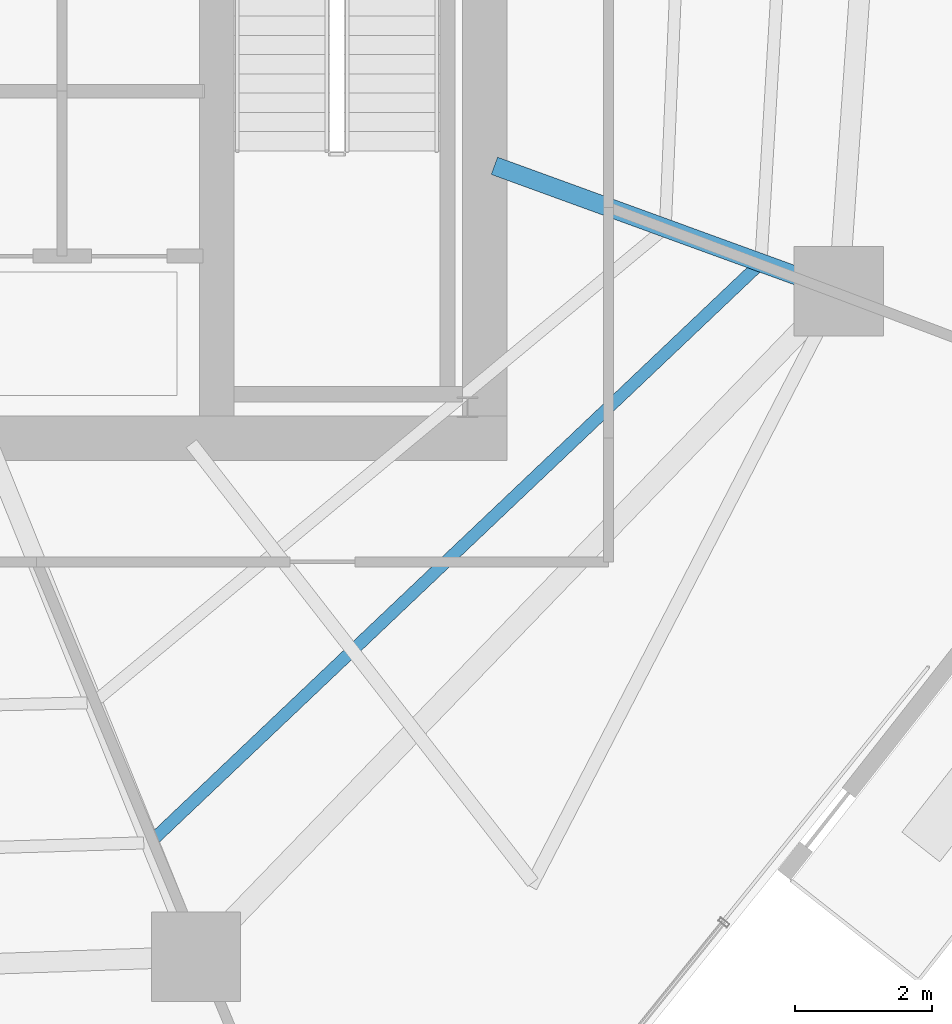
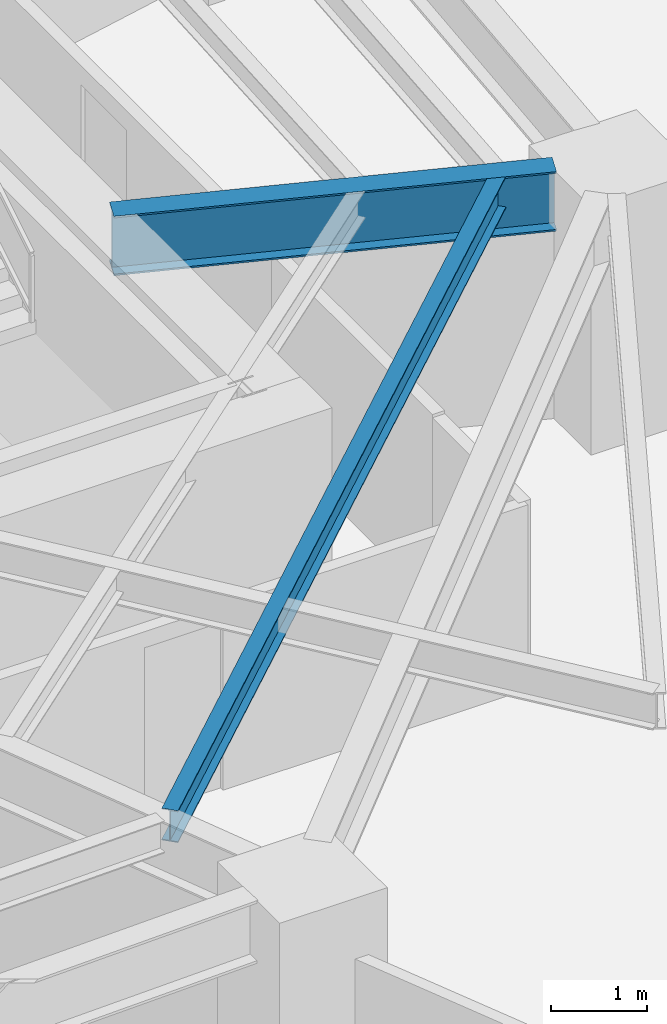
# One storey, part 12 of 32: 2 beams.
"""IFC4 building model written with IfcOpenShell, lengths in metres."""

from ifc_helpers import new_model, si_unit, direction, frame, origin, origin_2d, place, context, subcontext, project, spatial, i_section, extrude, material, material_profile, profile_set, type_object, element, save


model = new_model("IFC4")

# Units and contexts
model_context = context("Model", 3, precision=1e-05, world=origin(), true_north=direction((0.0, 1.0)))
body_context = subcontext(model_context, "Body", "Model", "MODEL_VIEW")
ifc_project = project(units=[si_unit("LENGTHUNIT", "METRE"), si_unit("AREAUNIT", "SQUARE_METRE"), si_unit("VOLUMEUNIT", "CUBIC_METRE"), si_unit("PLANEANGLEUNIT", "RADIAN"), si_unit("MASSUNIT", "GRAM", prefix="KILO")], contexts=[model_context])

# Site, building, storey
site_placement = place(None, origin())
site = spatial("IfcSite", under=ifc_project, at=site_placement, CompositionType="ELEMENT")
building_placement = place(site_placement, origin())
building = spatial("IfcBuilding", under=site, at=building_placement, Name="Qarnah Convention Tower", CompositionType="ELEMENT")
storey_placement = place(building_placement, frame((0.0, 0.0, 37.35009765625)))
storey = spatial("IfcBuildingStorey", under=building, at=storey_placement, Name="L08", CompositionType="ELEMENT", Elevation=37.35009765625)

# Beams
ifc_material = material(Name="Structural steel S355JR", Category="steel")
ifc_material_profile_1 = material_profile(ifc_material, i_section(OverallWidth=0.177978515625, OverallDepth=0.407958984375, WebThickness=0.008056640625, FlangeThickness=0.012939453125, at=origin_2d()), Name="W410X60")
ifc_profile_set_1 = profile_set([ifc_material_profile_1], Name="Structural steel S355JR")
beam_type_1 = type_object("IfcBeamType", Name="BM-JST-W410", PredefinedType="JOIST", material=ifc_profile_set_1)
beam_1_placement = place(storey_placement, frame((42.7939453125, 12.777099609375, 2.9658203125), z_axis=(0.725372328133, 0.688356728433, 0.0), x_axis=(-0.688356728433, 0.725372328133, 0.0)))
element("IfcBeam", 1, at=beam_1_placement, inside=storey, type_object=beam_type_1, Name="L08 joist BM-L08-SJST-08", PredefinedType="JOIST", context=body_context, shape_type="SweptSolid", body=[
    extrude(i_section(OverallWidth=0.177978515625, OverallDepth=0.407958984375, WebThickness=0.008056640625, FlangeThickness=0.012939453125, at=origin_2d()), origin(), (0.0, 0.0, 1.0), 12.07666015625),
])
ifc_material_profile_2 = material_profile(ifc_material, i_section(OverallWidth=0.26806640625, OverallDepth=0.760009765625, WebThickness=0.014892578125, FlangeThickness=0.02197265625, at=origin_2d()), Name="W760X185")
ifc_profile_set_2 = profile_set([ifc_material_profile_2], Name="Structural steel S355JR")
beam_type_2 = type_object("IfcBeamType", Name="BM-RAD-W760", PredefinedType="BEAM", material=ifc_profile_set_2)
beam_2_placement = place(storey_placement, frame((47.740966796875, 22.56396484375, 2.789794921875), z_axis=(0.939656930297, -0.342118186224, 0.0), x_axis=(0.342118186224, 0.939656930297, 0.0)))
element("IfcBeam", 2, at=beam_2_placement, inside=storey, type_object=beam_type_2, Name="L08 beam BM-L08-RAD-09", PredefinedType="BEAM", context=body_context, shape_type="SweptSolid", body=[
    extrude(i_section(OverallWidth=0.26806640625, OverallDepth=0.760009765625, WebThickness=0.014892578125, FlangeThickness=0.02197265625, at=origin_2d()), origin(), (0.0, 0.0, 1.0), 4.70263671875),
])

save(model, "model.ifc")
